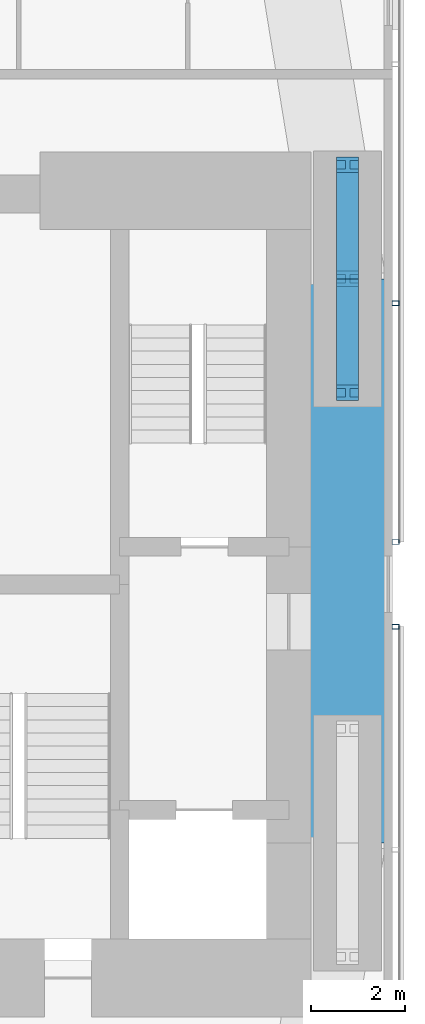
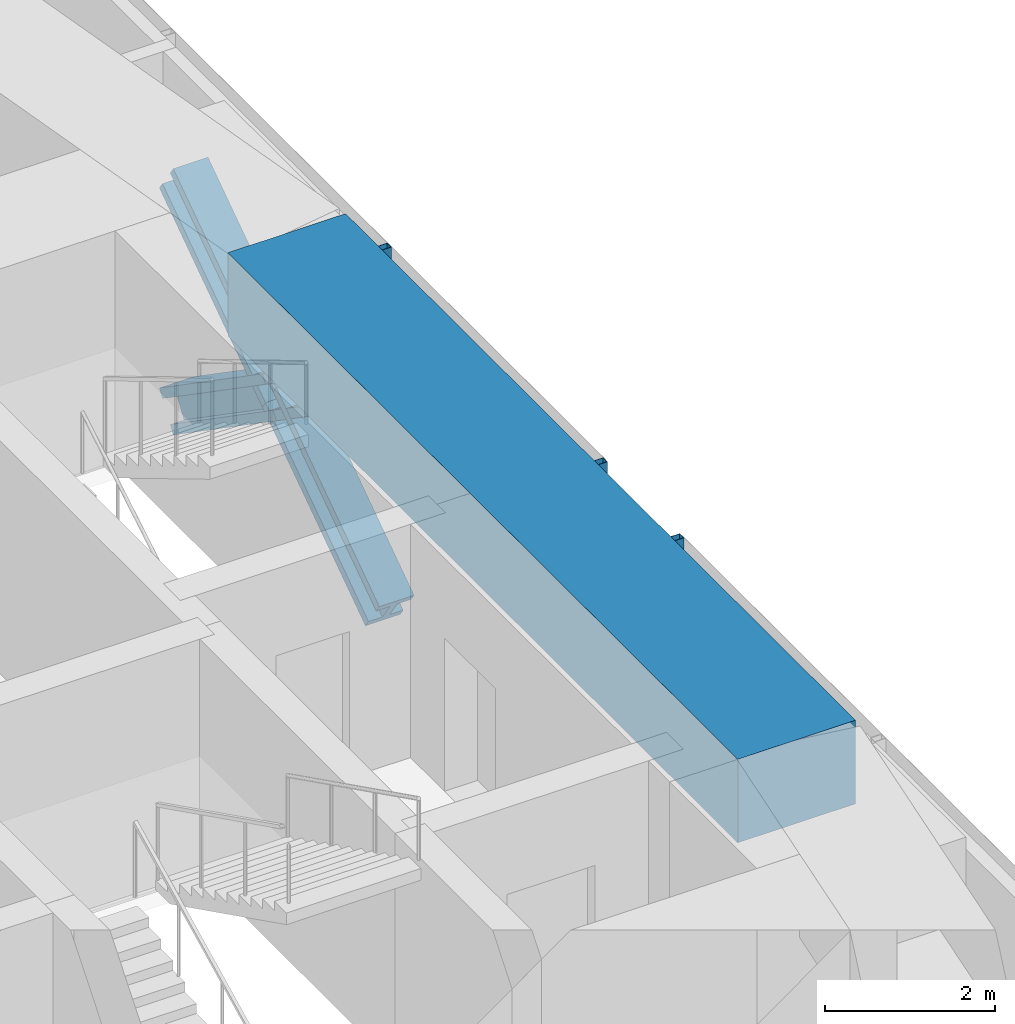
# One storey, part 9 of 23: 7 members, 1 beam, 2 elements without a shape of their own.
"""IFC4 building model written with IfcOpenShell, lengths in metres."""

from ifc_helpers import new_model, si_unit, direction, frame, origin, origin_2d, place, context, subcontext, project, spatial, rectangle, hollow_rectangle, i_section, extrude, material, material_profile, profile_set, type_object, element, aggregate, save


model = new_model("IFC4")

# Units and contexts
model_context = context("Model", 3, precision=1e-05, world=origin(), true_north=direction((0.0, 1.0)))
body_context = subcontext(model_context, "Body", "Model", "MODEL_VIEW")
ifc_project = project(units=[si_unit("LENGTHUNIT", "METRE"), si_unit("AREAUNIT", "SQUARE_METRE"), si_unit("VOLUMEUNIT", "CUBIC_METRE"), si_unit("PLANEANGLEUNIT", "RADIAN"), si_unit("MASSUNIT", "GRAM", prefix="KILO")], contexts=[model_context])

# Site, building, storey
site_placement = place(None, origin())
site = spatial("IfcSite", under=ifc_project, at=site_placement, CompositionType="ELEMENT")
building_placement = place(site_placement, origin())
building = spatial("IfcBuilding", under=site, at=building_placement, Name="Jalousie Tower", CompositionType="ELEMENT")
storey_placement = place(building_placement, frame((0.0, 0.0, 41.10009765625)))
storey = spatial("IfcBuildingStorey", under=building, at=storey_placement, Name="L10", CompositionType="ELEMENT", Elevation=41.10009765625)

# Members
ifc_material_1 = material(Name="Steel ASTM A992 Grade 50", Category="steel")
ifc_material_profile_1 = material_profile(ifc_material_1, i_section(OverallWidth=0.472412109375, OverallDepth=0.5791015625, WebThickness=0.094970703125, FlangeThickness=0.1298828125, at=origin_2d()), Name="W14X808")
ifc_profile_set_1 = profile_set([ifc_material_profile_1], Name="Steel ASTM A992 Grade 50")
member_type_1 = type_object("IfcMemberType", Name="PERIMETER BRACE W14X808", PredefinedType="BRACE", material=ifc_profile_set_1)
for number, where, z_axis, x_axis, name in (
    (1, (45.050048828125, 22.574951171875, -0.60009765625), (0.0, 0.822800062329, 0.568330940062), (-1.0, 0.0, 0.0), "Perimeter brace 07 L10 part 1"),
    (2, (45.050048828125, 25.0, 1.074951171875), (0.0, 0.822800062329, 0.568330940062), (-1.0, 0.0, 0.0), "Perimeter brace 07 L10 part 2"),
    (3, (45.050048828125, 27.425048828125, -0.60009765625), (0.0, -0.822800062329, 0.568330940062), (1.0, 0.0, 0.0), "Perimeter brace 07 L10 part 3"),
    (4, (45.050048828125, 25.0, 1.074951171875), (0.0, -0.822800062329, 0.568330940062), (1.0, 0.0, 0.0), "Perimeter brace 07 L10 part 4"),
):
    element("IfcMember", number, at=place(storey_placement, frame(where, z_axis=z_axis, x_axis=x_axis)), inside=storey, type_object=member_type_1, Name=name, PredefinedType="BRACE", context=body_context, shape_type="SweptSolid", body=[
        extrude(i_section(OverallWidth=0.472412109375, OverallDepth=0.5791015625, WebThickness=0.094970703125, FlangeThickness=0.1298828125, at=origin_2d()), origin(), (0.0, 0.0, 1.0), 2.947265625),
    ])

# Beam
ifc_material_2 = material(Name="Concrete f'c 40 MPa", Category="concrete")
ifc_material_profile_2 = material_profile(ifc_material_2, rectangle(XDim=1.60009765625, YDim=1.199951171875, at=origin_2d()), Name="RC 1600x1200")
ifc_profile_set_2 = profile_set([ifc_material_profile_2], Name="Concrete f'c 40 MPa")
beam_type = type_object("IfcBeamType", Name="RC BEAM 1600x1200", PredefinedType="BEAM", material=ifc_profile_set_2)
beam_placement = place(storey_placement, frame((45.050048828125, 13.0, 2.75), z_axis=(0.0, 1.0, 0.0), x_axis=(-1.0, 0.0, 0.0)))
element("IfcBeam", 5, at=beam_placement, inside=storey, type_object=beam_type, Name="Edge band beam 06-07 under L11", PredefinedType="BEAM", context=body_context, shape_type="SweptSolid", body=[
    extrude(rectangle(XDim=1.60009765625, YDim=1.199951171875, at=origin_2d()), origin(), (0.0, 0.0, 1.0), 12.0),
])

# Curtain wall, member
ifc_material_3 = material(Name="Perforated aluminium sheet", Category="aluminium")
curtain_wall_type = type_object("IfcCurtainWallType", Name="SOLAR SCREEN SS-1", PredefinedType="USERDEFINED", material=ifc_material_3)
curtain_wall_1_placement = place(storey_placement, origin())
curtain_wall_1 = element("IfcCurtainWall", 6, at=curtain_wall_1_placement, inside=storey, type_object=curtain_wall_type, Name="Solar screen L10", ObjectType="SOLAR SCREEN SS-1", PredefinedType="USERDEFINED")
ifc_material_4 = material(Name="Steel ASTM A500 Grade C", Category="steel")
ifc_material_profile_3 = material_profile(ifc_material_4, hollow_rectangle(XDim=0.1015625, YDim=0.15234375, WallThickness=0.00634765625, at=origin_2d()), Name="HSS6X4X1/4")
ifc_profile_set_3 = profile_set([ifc_material_profile_3], Name="Steel ASTM A500 Grade C")
member_type_2 = type_object("IfcMemberType", Name="SOLAR SCREEN SS-1 MULLION", PredefinedType="MULLION", material=ifc_profile_set_3)
member_1_placement = place(storey_placement, frame((46.0712890625, 17.60009765625, -0.1201171875), z_axis=(0.0, 0.0, 1.0), x_axis=(0.0, 1.0, 0.0)))
member_1 = element("IfcMember", 7, at=member_1_placement, type_object=member_type_2, Name="SS1 post 4", PredefinedType="MULLION", context=body_context, shape_type="SweptSolid", body=[
    extrude(hollow_rectangle(XDim=0.1015625, YDim=0.15234375, WallThickness=0.00634765625, at=origin_2d()), origin(), (0.0, 0.0, 1.0), 3.22998046875),
])
aggregate(curtain_wall_1, [member_1])

# Curtain wall, members
curtain_wall_2_placement = place(storey_placement, origin())
curtain_wall_2 = element("IfcCurtainWall", 8, at=curtain_wall_2_placement, inside=storey, type_object=curtain_wall_type, Name="Solar screen L10", ObjectType="SOLAR SCREEN SS-1", PredefinedType="USERDEFINED")
member_2_placement = place(storey_placement, frame((46.0712890625, 19.39990234375, -0.1201171875), z_axis=(0.0, 0.0, 1.0), x_axis=(0.0, 1.0, 0.0)))
member_2 = element("IfcMember", 9, at=member_2_placement, type_object=member_type_2, Name="SS1 post 1", PredefinedType="MULLION", context=body_context, shape_type="SweptSolid", body=[
    extrude(hollow_rectangle(XDim=0.1015625, YDim=0.15234375, WallThickness=0.00634765625, at=origin_2d()), origin(), (0.0, 0.0, 1.0), 3.22998046875),
])
member_3_placement = place(storey_placement, frame((46.0712890625, 24.48291015625, -0.1201171875), z_axis=(0.0, 0.0, 1.0), x_axis=(0.0, 1.0, 0.0)))
member_3 = element("IfcMember", 10, at=member_3_placement, type_object=member_type_2, Name="SS1 post 2", PredefinedType="MULLION", context=body_context, shape_type="SweptSolid", body=[
    extrude(hollow_rectangle(XDim=0.1015625, YDim=0.15234375, WallThickness=0.00634765625, at=origin_2d()), origin(), (0.0, 0.0, 1.0), 3.22998046875),
])
aggregate(curtain_wall_2, [member_2, member_3])

save(model, "model.ifc")
